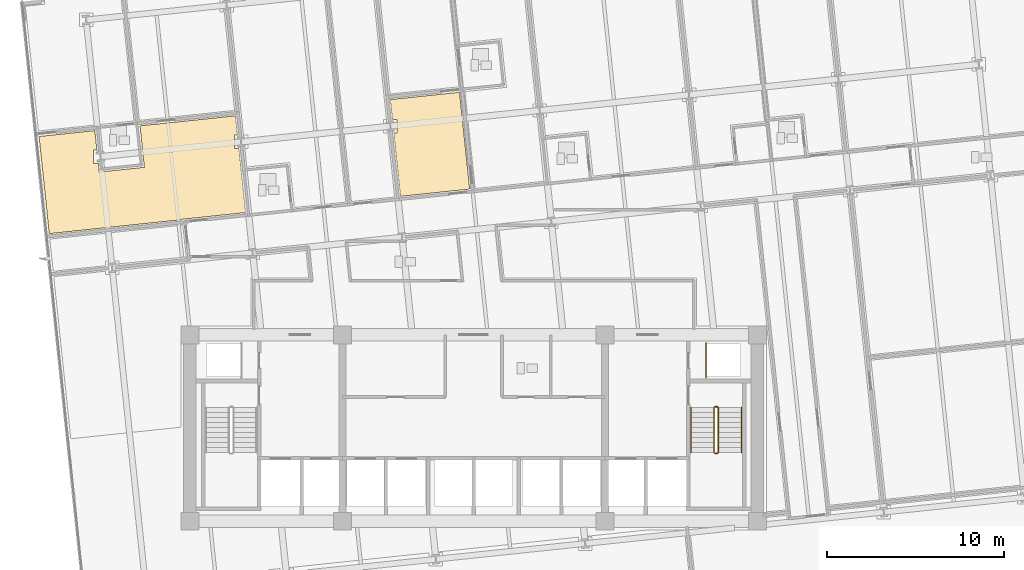
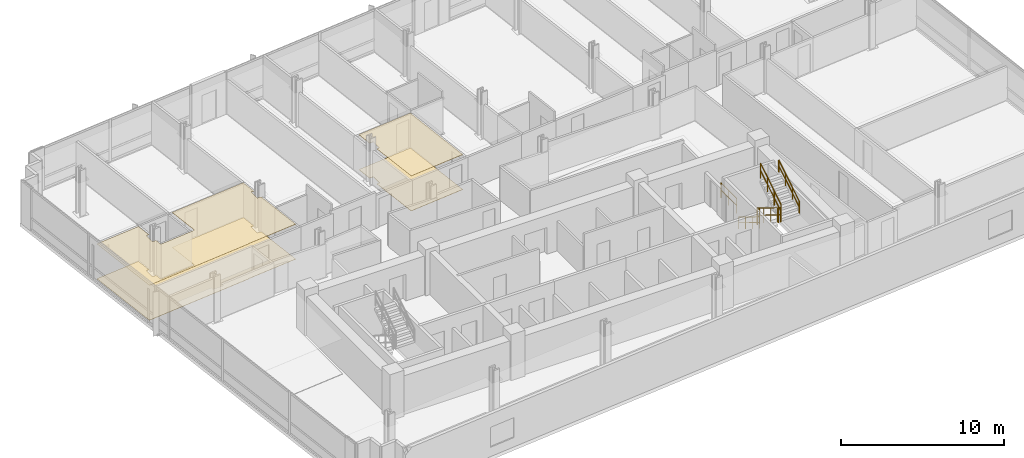
# One storey, part 16 of 20: 7 railings, 4 coverings.
"""IFC4 building model written with IfcOpenShell, lengths in metres."""

from ifc_helpers import new_model, si_unit, direction, frame, origin, origin_2d, place, context, subcontext, project, spatial, polyline, circle, outline, extrude, material, layer, layer_set, type_object, element, save


model = new_model("IFC4")

# Units and contexts
model_context = context("Model", 3, precision=1e-05, world=origin(), true_north=direction((0.0, 1.0)))
body_context = subcontext(model_context, "Body", "Model", "MODEL_VIEW")
ifc_project = project(units=[si_unit("LENGTHUNIT", "METRE"), si_unit("AREAUNIT", "SQUARE_METRE"), si_unit("VOLUMEUNIT", "CUBIC_METRE"), si_unit("PLANEANGLEUNIT", "RADIAN"), si_unit("MASSUNIT", "GRAM", prefix="KILO")], contexts=[model_context])

# Site, building, storey
site_placement = place(None, origin())
site = spatial("IfcSite", under=ifc_project, at=site_placement, CompositionType="ELEMENT")
building_placement = place(site_placement, origin())
building = spatial("IfcBuilding", under=site, at=building_placement, Name="Solmavex Isthmus Hotel", CompositionType="ELEMENT")
storey_placement = place(building_placement, frame((0.0, 0.0, 87.0)))
storey = spatial("IfcBuildingStorey", under=building, at=storey_placement, Name="L23", CompositionType="ELEMENT", Elevation=87.0)

# Coverings
ifc_material_1 = material(Name="Gypsum plasterboard lining", Category="gypsum")
ifc_layer_1 = layer(ifc_material_1, 0.030029296875)
ifc_layer_set_1 = layer_set([ifc_layer_1], Name="Gypsum plasterboard lining")
covering_type_1 = type_object("IfcCoveringType", Name="COV-CEIL-GYP", PredefinedType="CEILING", material=ifc_layer_set_1)
covering_1_placement = place(storey_placement, frame((0.0, 0.0, 2.6201171875)))
element("IfcCovering", 1, at=covering_1_placement, inside=storey, type_object=covering_type_1, Name="Suspended Acoustic Ceiling L23-ST01-FY", PredefinedType="CEILING", context=body_context, shape_type="SweptSolid", body=[
    extrude(outline(polyline([(-21.163330078125, 7.169189453125), (-21.42138671875, 7.169189453125), (-21.42138671875, 7.92919921875), (-21.2431640625, 7.92919921875), (-21.35791015625, 9.019287109375), (-24.50439453125, 8.6884765625), (-23.9287109375, 3.210693359375), (-16.43212890625, 3.99853515625), (-16.43408203125, 4.0185546875), (-12.853759765625, 4.394775390625), (-13.23291015625, 8.002197265625), (-13.4970703125, 8.002197265625), (-13.4970703125, 8.76220703125), (-13.31298828125, 8.76220703125), (-13.427490234375, 9.852783203125), (-18.811767578125, 9.286865234375), (-18.566162109375, 6.94970703125), (-21.112060546875, 6.68212890625), (-21.163330078125, 7.169189453125)])), origin(), (0.0, 0.0, 1.0), 0.02978515625),
])
covering_2_placement = place(storey_placement, frame((0.0, 0.0, 2.6201171875)))
element("IfcCovering", 2, at=covering_2_placement, inside=storey, type_object=covering_type_1, Name="Suspended Acoustic Ceiling L23-SL04-FY", PredefinedType="CEILING", context=body_context, shape_type="SweptSolid", body=[
    extrude(outline(polyline([(-4.58154296875, 9.64697265625), (-4.3173828125, 9.64697265625), (-4.3173828125, 8.886962890625), (-4.501708984375, 8.886962890625), (-4.1259765625, 5.31201171875), (-1.164306640625, 5.62353515625), (-0.57666015625, 5.68505859375), (-0.224365234375, 5.72216796875), (-0.798095703125, 11.18017578125), (-4.699462890625, 10.77001953125), (-4.58154296875, 9.64697265625)])), origin(), (0.0, 0.0, 1.0), 0.02978515625),
])
ifc_material_2 = material(Name="Travertine natural stone", Category="masonry")
ifc_layer_2 = layer(ifc_material_2, 0.02490234375)
ifc_layer_set_2 = layer_set([ifc_layer_2], Name="Travertine natural stone")
covering_type_2 = type_object("IfcCoveringType", Name="COV-FLOR-STN", PredefinedType="FLOORING", material=ifc_layer_set_2)
covering_3_placement = place(storey_placement, origin())
element("IfcCovering", 3, at=covering_3_placement, inside=storey, type_object=covering_type_2, Name="Stone and Timber Floor Finish L23-ST01-FY", PredefinedType="FLOORING", context=body_context, shape_type="SweptSolid", body=[
    extrude(outline(polyline([(-21.163330078125, 7.169189453125), (-21.42138671875, 7.169189453125), (-21.42138671875, 7.92919921875), (-21.2431640625, 7.92919921875), (-21.35791015625, 9.019287109375), (-24.50439453125, 8.6884765625), (-23.9287109375, 3.210693359375), (-16.43212890625, 3.99853515625), (-16.43408203125, 4.0185546875), (-12.853759765625, 4.394775390625), (-13.23291015625, 8.002197265625), (-13.4970703125, 8.002197265625), (-13.4970703125, 8.76220703125), (-13.31298828125, 8.76220703125), (-13.427490234375, 9.852783203125), (-18.811767578125, 9.286865234375), (-18.566162109375, 6.94970703125), (-21.112060546875, 6.68212890625), (-21.163330078125, 7.169189453125)])), origin(), (0.0, 0.0, 1.0), 0.02490234375),
])
covering_4_placement = place(storey_placement, origin())
element("IfcCovering", 4, at=covering_4_placement, inside=storey, type_object=covering_type_2, Name="Stone and Timber Floor Finish L23-SL04-FY", PredefinedType="FLOORING", context=body_context, shape_type="SweptSolid", body=[
    extrude(outline(polyline([(-4.58154296875, 9.64697265625), (-4.3173828125, 9.64697265625), (-4.3173828125, 8.886962890625), (-4.501708984375, 8.886962890625), (-4.1259765625, 5.31201171875), (-1.164306640625, 5.62353515625), (-0.57666015625, 5.68505859375), (-0.224365234375, 5.72216796875), (-0.798095703125, 11.18017578125), (-4.699462890625, 10.77001953125), (-4.58154296875, 9.64697265625)])), origin(), (0.0, 0.0, 1.0), 0.02490234375),
])

# Railings
ifc_material_3 = material(Name="Clear low-E laminated glass", Category="glass")
ifc_layer_3 = layer(ifc_material_3, 0.080078125)
ifc_layer_set_3 = layer_set([ifc_layer_3], Name="Clear low-E laminated glass")
railing_type_1 = type_object("IfcRailingType", Name="RAIL-ATRIUM-1120", PredefinedType="BALUSTRADE", material=ifc_layer_set_3)
railing_1_placement = place(storey_placement, frame((13.10009765625, -4.89990234375, 0.0)))
element("IfcRailing", 5, at=railing_1_placement, inside=storey, type_object=railing_type_1, Name="Guardrail Balustrade L23-RSE-01", PredefinedType="BALUSTRADE", context=body_context, shape_type="SweptSolid", body=[
    extrude(circle(Radius=0.02392578125, at=origin_2d()), frame((0.0, 0.0, 1.1259765625), z_axis=(0.0, 1.0, 0.0), x_axis=(-1.0, 0.0, 0.0)), (0.0, 0.0, 1.0), 1.949951171875),
    extrude(circle(Radius=0.02392578125, at=origin_2d()), frame((0.0, 0.0, 0.574951171875), z_axis=(0.0, 1.0, 0.0), x_axis=(-1.0, 0.0, 0.0)), (0.0, 0.0, 1.0), 1.949951171875),
    extrude(circle(Radius=0.02099609375, at=origin_2d()), origin(), (0.0, 0.0, 1.0), 1.101806640625),
    extrude(circle(Radius=0.02099609375, at=origin_2d()), frame((0.0, 0.97509765625, 0.0)), (0.0, 0.0, 1.0), 1.101806640625),
    extrude(circle(Radius=0.02099609375, at=origin_2d()), frame((0.0, 1.949951171875, 0.0)), (0.0, 0.0, 1.0), 1.101806640625),
])
ifc_material_4 = material(Name="Stainless steel 316", Category="steel")
ifc_layer_4 = layer(ifc_material_4, 0.06005859375)
ifc_layer_set_4 = layer_set([ifc_layer_4], Name="Stainless steel 316")
railing_type_2 = type_object("IfcRailingType", Name="RAIL-STAIR-GD", PredefinedType="GUARDRAIL", material=ifc_layer_set_4)
railing_2_placement = place(storey_placement, frame((13.550048828125, -6.60009765625, 0.172607421875)))
element("IfcRailing", 6, at=railing_2_placement, inside=storey, type_object=railing_type_2, Name="L23 ST-2 stair guard 1", PredefinedType="GUARDRAIL", context=body_context, shape_type="SweptSolid", body=[
    extrude(circle(Radius=0.02392578125, at=origin_2d()), frame((0.0, 0.0, 1.09619140625), z_axis=(0.0, -0.851400495292, 0.524516154772), x_axis=(1.0, 0.0, 0.0)), (0.0, 0.0, 1.0), 2.9599609375),
    extrude(circle(Radius=0.02392578125, at=origin_2d()), frame((0.0, 0.0, 0.56005859375), z_axis=(0.0, -0.851400495292, 0.524516154772), x_axis=(1.0, 0.0, 0.0)), (0.0, 0.0, 1.0), 2.9599609375),
    extrude(circle(Radius=0.02099609375, at=origin_2d()), origin(), (0.0, 0.0, 1.0), 1.072021484375),
    extrude(circle(Radius=0.02099609375, at=origin_2d()), frame((0.0, -0.840087890625, 0.517578125)), (0.0, 0.0, 1.0), 1.072021484375),
    extrude(circle(Radius=0.02099609375, at=origin_2d()), frame((0.0, -1.679931640625, 1.034912109375)), (0.0, 0.0, 1.0), 1.072021484375),
    extrude(circle(Radius=0.02099609375, at=origin_2d()), frame((0.0, -2.52001953125, 1.552490234375)), (0.0, 0.0, 1.0), 1.072021484375),
])
railing_3_placement = place(storey_placement, frame((13.60009765625, -9.169921875, 1.72509765625)))
element("IfcRailing", 7, at=railing_3_placement, inside=storey, type_object=railing_type_2, Name="L23 ST-2 stair guard 2", PredefinedType="GUARDRAIL", context=body_context, shape_type="SweptSolid", body=[
    extrude(circle(Radius=0.02392578125, at=origin_2d()), frame((0.0, 0.0, 1.09619140625), z_axis=(1.0, 0.0, 0.0), x_axis=(0.0, 1.0, 0.0)), (0.0, 0.0, 1.0), 0.14990234375),
    extrude(circle(Radius=0.02392578125, at=origin_2d()), frame((0.0, 0.0, 0.56005859375), z_axis=(1.0, 0.0, 0.0), x_axis=(0.0, 1.0, 0.0)), (0.0, 0.0, 1.0), 0.14990234375),
    extrude(circle(Radius=0.02099609375, at=origin_2d()), origin(), (0.0, 0.0, 1.0), 1.072021484375),
    extrude(circle(Radius=0.02099609375, at=origin_2d()), frame((0.14990234375, 0.0, 0.0)), (0.0, 0.0, 1.0), 1.072021484375),
])
railing_4_placement = place(storey_placement, frame((13.800048828125, -9.1201171875, 1.8974609375)))
element("IfcRailing", 8, at=railing_4_placement, inside=storey, type_object=railing_type_2, Name="L23 ST-2 stair guard 3", PredefinedType="GUARDRAIL", context=body_context, shape_type="SweptSolid", body=[
    extrude(circle(Radius=0.02392578125, at=origin_2d()), frame((0.0, 0.0, 1.09619140625), z_axis=(0.0, 0.851400495292, 0.524516154772), x_axis=(-1.0, 0.0, 0.0)), (0.0, 0.0, 1.0), 2.9599609375),
    extrude(circle(Radius=0.02392578125, at=origin_2d()), frame((0.0, 0.0, 0.56005859375), z_axis=(0.0, 0.851400495292, 0.524516154772), x_axis=(-1.0, 0.0, 0.0)), (0.0, 0.0, 1.0), 2.9599609375),
    extrude(circle(Radius=0.02099609375, at=origin_2d()), origin(), (0.0, 0.0, 1.0), 1.072021484375),
    extrude(circle(Radius=0.02099609375, at=origin_2d()), frame((0.0, 0.840087890625, 0.517578125)), (0.0, 0.0, 1.0), 1.072021484375),
    extrude(circle(Radius=0.02099609375, at=origin_2d()), frame((0.0, 1.679931640625, 1.034912109375)), (0.0, 0.0, 1.0), 1.072021484375),
    extrude(circle(Radius=0.02099609375, at=origin_2d()), frame((0.0, 2.52001953125, 1.552490234375)), (0.0, 0.0, 1.0), 1.072021484375),
])
railing_5_placement = place(storey_placement, frame((13.60009765625, -6.550048828125, 0.0)))
element("IfcRailing", 9, at=railing_5_placement, inside=storey, type_object=railing_type_2, Name="L23 ST-2 stair guard 4", PredefinedType="GUARDRAIL", context=body_context, shape_type="SweptSolid", body=[
    extrude(circle(Radius=0.02392578125, at=origin_2d()), frame((0.0, 0.0, 1.09619140625), z_axis=(1.0, 0.0, 0.0), x_axis=(0.0, 1.0, 0.0)), (0.0, 0.0, 1.0), 0.14990234375),
    extrude(circle(Radius=0.02392578125, at=origin_2d()), frame((0.0, 0.0, 0.56005859375), z_axis=(1.0, 0.0, 0.0), x_axis=(0.0, 1.0, 0.0)), (0.0, 0.0, 1.0), 0.14990234375),
    extrude(circle(Radius=0.02099609375, at=origin_2d()), origin(), (0.0, 0.0, 1.0), 1.072021484375),
    extrude(circle(Radius=0.02099609375, at=origin_2d()), frame((0.14990234375, 0.0, 0.0)), (0.0, 0.0, 1.0), 1.072021484375),
])
ifc_layer_5 = layer(ifc_material_4, 0.050048828125)
ifc_layer_set_5 = layer_set([ifc_layer_5], Name="Stainless steel 316")
railing_type_3 = type_object("IfcRailingType", Name="RAIL-STAIR-HR", PredefinedType="HANDRAIL", material=ifc_layer_set_5)
railing_6_placement = place(storey_placement, frame((12.25, -6.60009765625, 0.172607421875)))
element("IfcRailing", 10, at=railing_6_placement, inside=storey, type_object=railing_type_3, Name="L23 ST-2 stair handrail 1", PredefinedType="HANDRAIL", context=body_context, shape_type="SweptSolid", body=[
    extrude(circle(Radius=0.02392578125, at=origin_2d()), frame((0.0, 0.0, 0.8759765625), z_axis=(0.0, -0.851400495292, 0.524516154772), x_axis=(1.0, 0.0, 0.0)), (0.0, 0.0, 1.0), 2.9599609375),
    extrude(circle(Radius=0.02392578125, at=origin_2d()), frame((0.0, 0.0, 0.449951171875), z_axis=(0.0, -0.851400495292, 0.524516154772), x_axis=(1.0, 0.0, 0.0)), (0.0, 0.0, 1.0), 2.9599609375),
    extrude(circle(Radius=0.02099609375, at=origin_2d()), origin(), (0.0, 0.0, 1.0), 0.851806640625),
    extrude(circle(Radius=0.02099609375, at=origin_2d()), frame((0.0, -0.840087890625, 0.517578125)), (0.0, 0.0, 1.0), 0.851806640625),
    extrude(circle(Radius=0.02099609375, at=origin_2d()), frame((0.0, -1.679931640625, 1.034912109375)), (0.0, 0.0, 1.0), 0.851806640625),
    extrude(circle(Radius=0.02099609375, at=origin_2d()), frame((0.0, -2.52001953125, 1.552490234375)), (0.0, 0.0, 1.0), 0.851806640625),
])
railing_7_placement = place(storey_placement, frame((15.10009765625, -9.1201171875, 1.8974609375)))
element("IfcRailing", 11, at=railing_7_placement, inside=storey, type_object=railing_type_3, Name="L23 ST-2 stair handrail 2", PredefinedType="HANDRAIL", context=body_context, shape_type="SweptSolid", body=[
    extrude(circle(Radius=0.02392578125, at=origin_2d()), frame((0.0, 0.0, 0.8759765625), z_axis=(0.0, 0.851400495292, 0.524516154772), x_axis=(-1.0, 0.0, 0.0)), (0.0, 0.0, 1.0), 2.9599609375),
    extrude(circle(Radius=0.02392578125, at=origin_2d()), frame((0.0, 0.0, 0.449951171875), z_axis=(0.0, 0.851400495292, 0.524516154772), x_axis=(-1.0, 0.0, 0.0)), (0.0, 0.0, 1.0), 2.9599609375),
    extrude(circle(Radius=0.02099609375, at=origin_2d()), origin(), (0.0, 0.0, 1.0), 0.851806640625),
    extrude(circle(Radius=0.02099609375, at=origin_2d()), frame((0.0, 0.840087890625, 0.517578125)), (0.0, 0.0, 1.0), 0.851806640625),
    extrude(circle(Radius=0.02099609375, at=origin_2d()), frame((0.0, 1.679931640625, 1.034912109375)), (0.0, 0.0, 1.0), 0.851806640625),
    extrude(circle(Radius=0.02099609375, at=origin_2d()), frame((0.0, 2.52001953125, 1.552490234375)), (0.0, 0.0, 1.0), 0.851806640625),
])

save(model, "model.ifc")
